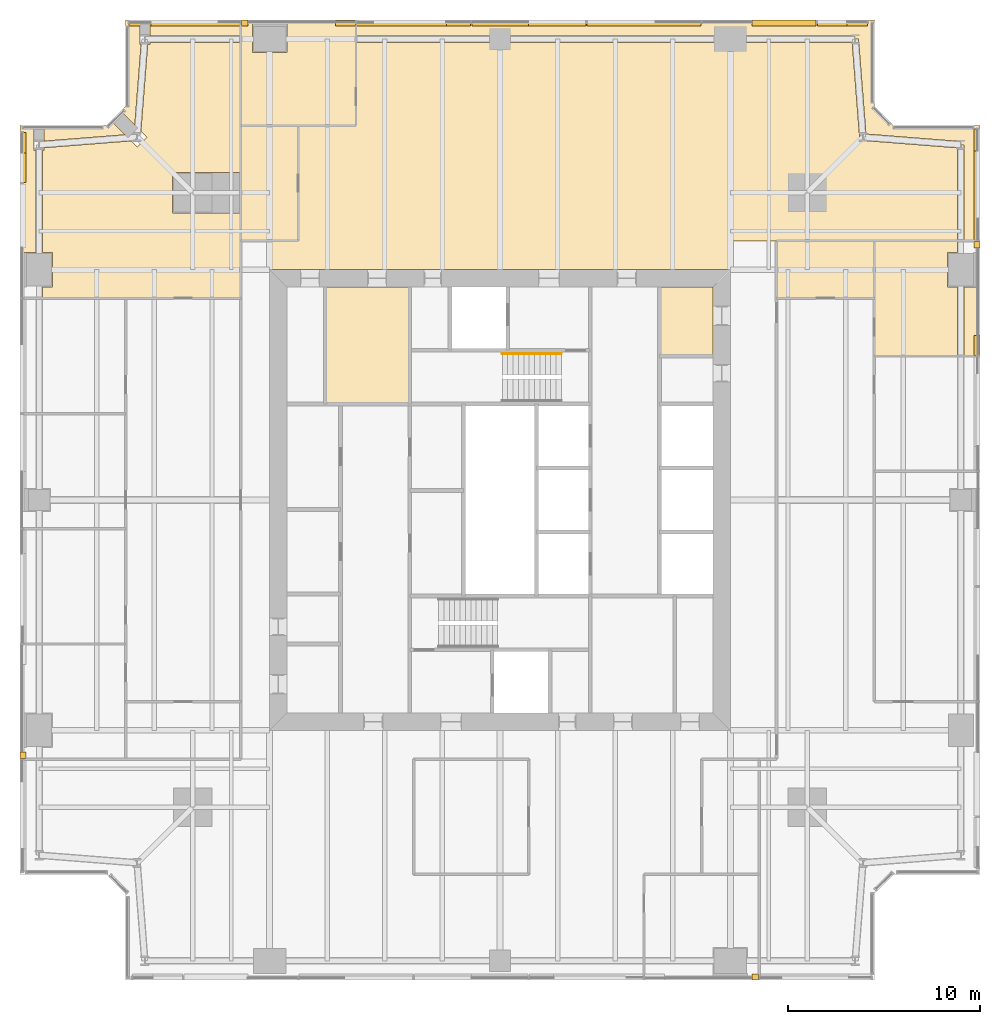
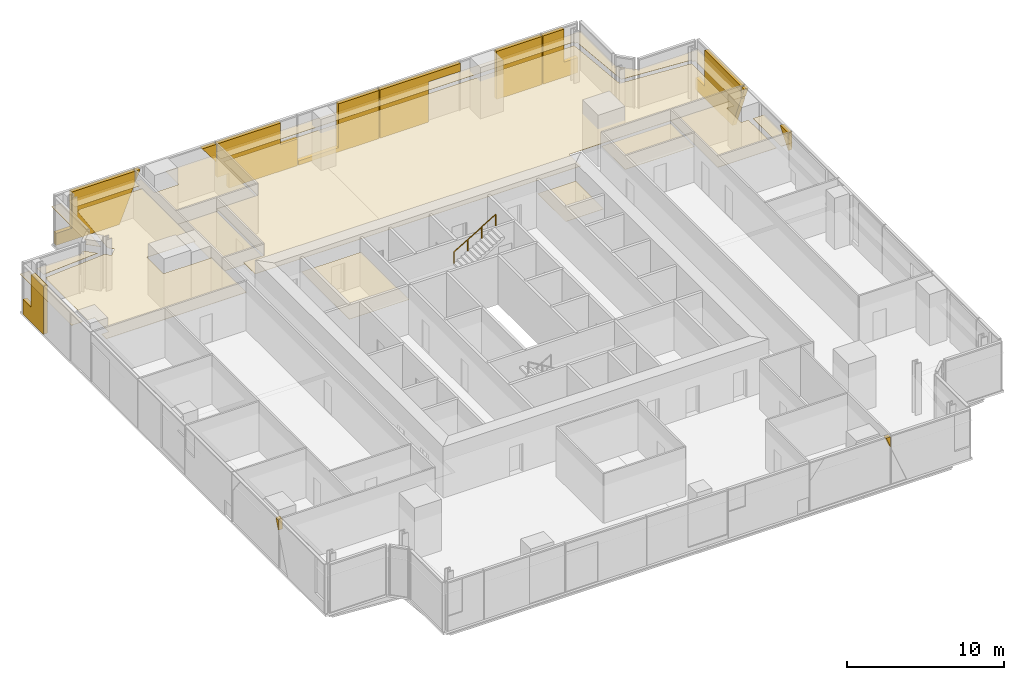
# One storey, part 14 of 14: 28 coverings, 1 railing.
"""IFC4 building model written with IfcOpenShell, lengths in metres."""

import ifcopenshell
import ifcopenshell.guid

model = None  # the IFC model being written
_history = None  # IfcOwnerHistory: only IFC2X3 demands one
_inside = {}  # id of a spatial element -> (the spatial element, [elements in it])
_under = {}  # id of a project, library or spatial element -> (it, [spatial elements below it])
_declared = {}  # id of a project -> (the project, [libraries it declares])
_typed = {}  # id of a type object -> (the type object, [elements of that type])
_made_of = {}  # id of a material, layer set ... -> (it, [elements and type objects made of it])


def new_model(schema):
    """Start an empty IFC model of exactly this schema.

    Asked for "IFC4X3", IfcOpenShell would pick the latest addendum, in which some entities
    have other attributes; the version numbers below select the first issue.
    IFC2X3 requires an IfcOwnerHistory on every rooted entity: one is made here for all.
    """
    global model, _history
    if schema == "IFC4X3":
        model = ifcopenshell.file(schema_version=(4, 3, 0, 0))
    else:
        model = ifcopenshell.file(schema=schema)
    _inside.clear()
    _under.clear()
    _declared.clear()
    _typed.clear()
    _made_of.clear()
    _history = None
    if model.schema == "IFC2X3":
        org = make("IfcOrganization", Name="unknown")
        user = make(
            "IfcPersonAndOrganization",
            ThePerson=make("IfcPerson", FamilyName="unknown"),
            TheOrganization=org,
        )
        app = make(
            "IfcApplication",
            ApplicationDeveloper=org,
            Version="unknown",
            ApplicationFullName="unknown",
            ApplicationIdentifier="unknown",
        )
        _history = make(
            "IfcOwnerHistory",
            OwningUser=user,
            OwningApplication=app,
            ChangeAction="ADDED",
            CreationDate=0,
        )
    return model


def make(cls, **values):
    """One entity of the class cls with the attributes given. An attribute that is None is left unset."""
    return model.create_entity(
        cls, **{name: value for name, value in values.items() if value is not None}
    )


def rooted(cls, **values):
    """An entity with a GlobalId (a new one), such as an element, a storey or a relation."""
    return make(cls, GlobalId=ifcopenshell.guid.new(), OwnerHistory=_history, **values)


def si_unit(unit_type, name, prefix=None):
    """IfcSIUnit, for example si_unit("LENGTHUNIT", "METRE", prefix="MILLI")."""
    return make("IfcSIUnit", UnitType=unit_type, Prefix=prefix, Name=name)


def assignment(units):
    """IfcUnitAssignment: the units of a project."""
    return None if units is None else make("IfcUnitAssignment", Units=units)


def point(xyz):
    """IfcCartesianPoint."""
    return None if xyz is None else make("IfcCartesianPoint", Coordinates=xyz)


def direction(xyz):
    """IfcDirection."""
    return None if xyz is None else make("IfcDirection", DirectionRatios=xyz)


def frame(location, z_axis=None, x_axis=None):
    """IfcAxis2Placement3D, a coordinate frame: its origin and axes. An axis left out is left unset."""
    return make(
        "IfcAxis2Placement3D",
        Location=point(location),
        Axis=direction(z_axis),
        RefDirection=direction(x_axis),
    )


def frame_2d(location, x_axis=None):
    """IfcAxis2Placement2D, a coordinate frame in the plane: its origin and x axis."""
    return make(
        "IfcAxis2Placement2D", Location=point(location), RefDirection=direction(x_axis)
    )


def origin():
    """The frame at (0, 0, 0) with its axes left unset."""
    return frame((0.0, 0.0, 0.0))


def origin_2d():
    """The frame at (0, 0) in the plane with its x axis left unset."""
    return frame_2d((0.0, 0.0))


def place(relative_to, where):
    """IfcLocalPlacement: puts the frame where relative to a parent placement (None: the world)."""
    return make(
        "IfcLocalPlacement", PlacementRelTo=relative_to, RelativePlacement=where
    )


def context(
    kind, dimensions, precision=None, world=None, true_north=None, identifier=None
):
    """IfcGeometricRepresentationContext, for example the 3D "Model" context."""
    return make(
        "IfcGeometricRepresentationContext",
        ContextIdentifier=identifier,
        ContextType=kind,
        CoordinateSpaceDimension=dimensions,
        Precision=precision,
        WorldCoordinateSystem=world,
        TrueNorth=true_north,
    )


def subcontext(parent, identifier, kind, view, scale=None):
    """IfcGeometricRepresentationSubContext, for example "Body" below "Model"."""
    return make(
        "IfcGeometricRepresentationSubContext",
        ContextIdentifier=identifier,
        ContextType=kind,
        ParentContext=parent,
        TargetScale=scale,
        TargetView=view,
    )


def project(units=None, contexts=None):
    """IfcProject with its units and contexts."""
    return rooted(
        "IfcProject",
        Name="project",
        RepresentationContexts=contexts,
        UnitsInContext=assignment(units),
    )


def spatial(cls, under=None, at=None, **own):
    """A site, building, storey or space (cls), placed at a placement, below another one or the project."""
    s = rooted(cls, ObjectPlacement=at, **own)
    if under is not None:
        _under.setdefault(under.id(), (under, []))[1].append(s)
    return s


def polyline(points):
    """IfcPolyline through the points."""
    return make("IfcPolyline", Points=[point(p) for p in points])


def profile(cls, at=None, kind="AREA", **sizes):
    """A parametric profile (cls). Its sizes go by their IFC names, for example OverallWidth=200.0."""
    return make(cls, ProfileType=kind, Position=at, **sizes)


def circle(**sizes):
    """IfcCircleProfileDef."""
    return profile("IfcCircleProfileDef", **sizes)


def outline(outer, holes=None, kind="AREA"):
    """IfcArbitraryClosedProfileDef: a profile drawn as a closed curve; with holes, ...WithVoids."""
    if holes is None:
        return make("IfcArbitraryClosedProfileDef", ProfileType=kind, OuterCurve=outer)
    return make(
        "IfcArbitraryProfileDefWithVoids",
        ProfileType=kind,
        OuterCurve=outer,
        InnerCurves=holes,
    )


def extrude(swept, where, along, depth):
    """IfcExtrudedAreaSolid: the profile swept, set in the frame where, extruded along a direction by depth."""
    return make(
        "IfcExtrudedAreaSolid",
        SweptArea=swept,
        Position=where,
        ExtrudedDirection=direction(along),
        Depth=depth,
    )


def shape(context_of_items, identifier, shape_type, items):
    """IfcShapeRepresentation: the items that make up one representation, for example the "Body"."""
    return make(
        "IfcShapeRepresentation",
        ContextOfItems=context_of_items,
        RepresentationIdentifier=identifier,
        RepresentationType=shape_type,
        Items=items,
    )


def material(Name=None, Category=None):
    """IfcMaterial."""
    return make("IfcMaterial", Name=Name, Category=Category)


def layer(
    of_material, thickness, ventilated=None, Name=None, Category=None, Priority=None
):
    """IfcMaterialLayer: one layer of a wall or slab, of a material (None: an air gap)."""
    return make(
        "IfcMaterialLayer",
        Material=of_material,
        LayerThickness=thickness,
        IsVentilated=ventilated,
        Name=Name,
        Category=Category,
        Priority=Priority,
    )


def layer_set(layers, Name=None):
    """IfcMaterialLayerSet."""
    return make("IfcMaterialLayerSet", MaterialLayers=layers, LayerSetName=Name)


def made_of(thing, what):
    """Note that an element or type object is made of a material, layer set ...; save() writes the relation."""
    if what is not None:
        _made_of.setdefault(what.id(), (what, []))[1].append(thing)
    return thing


def type_object(cls, material=None, **own):
    """A type object (cls), such as IfcWallType, which elements share."""
    return made_of(rooted(cls, **own), material)


def element(
    cls,
    number,
    at=None,
    inside=None,
    cuts=None,
    type_object=None,
    material=None,
    context=None,
    identifier="Body",
    shape_type=None,
    held_by="IfcProductDefinitionShape",
    body=None,
    shapes=None,
    **own,
):
    """One element of the class cls, such as IfcWall. Its Tag is "e" and its number.

    at: its placement. inside: the storey or other place that contains it. cuts: it is an
    opening in that element (IfcRelVoidsElement). A single representation is given by context,
    identifier, shape_type and body (its items); several are given by shapes. held_by: the class
    of the entity that holds the representations. save() writes the other relations.
    """
    e = rooted(cls, Tag="e%d" % number, ObjectPlacement=at, **own)
    if body is not None:
        shapes = [shape(context, identifier, shape_type, body)]
    if shapes is not None:
        e.Representation = make(held_by, Representations=shapes)
    if inside is not None:
        _inside.setdefault(inside.id(), (inside, []))[1].append(e)
    if cuts is not None:
        rooted(
            "IfcRelVoidsElement", RelatingBuildingElement=cuts, RelatedOpeningElement=e
        )
    if type_object is not None:
        _typed.setdefault(type_object.id(), (type_object, []))[1].append(e)
    return made_of(e, material)


def aggregate(whole, parts):
    """IfcRelAggregates: a whole, such as a stair, and the parts it consists of."""
    return rooted("IfcRelAggregates", RelatingObject=whole, RelatedObjects=parts)


def save(model, path):
    """Write the relations noted so far, then the file.

    IfcRelAggregates (storeys below a building ...), IfcRelContainedInSpatialStructure (elements
    in a storey), IfcRelDefinesByType, IfcRelAssociatesMaterial and IfcRelDeclares: one each for
    every whole, place, type object, material and project.
    """
    for whole, parts in _under.values():
        aggregate(whole, parts)
    for where, things in _inside.values():
        rooted(
            "IfcRelContainedInSpatialStructure",
            RelatedElements=things,
            RelatingStructure=where,
        )
    for kind, things in _typed.values():
        rooted("IfcRelDefinesByType", RelatedObjects=things, RelatingType=kind)
    for what, things in _made_of.values():
        rooted("IfcRelAssociatesMaterial", RelatedObjects=things, RelatingMaterial=what)
    for by, libraries in _declared.values():
        rooted("IfcRelDeclares", RelatingContext=by, RelatedDefinitions=libraries)
    model.write(path)


model = new_model("IFC4")

# Units and contexts
model_context = context("Model", 3, precision=1e-05, world=origin(), true_north=direction((0.0, 1.0)))
body_context = subcontext(model_context, "Body", "Model", "MODEL_VIEW")
ifc_project = project(units=[si_unit("LENGTHUNIT", "METRE"), si_unit("AREAUNIT", "SQUARE_METRE"), si_unit("VOLUMEUNIT", "CUBIC_METRE"), si_unit("PLANEANGLEUNIT", "RADIAN"), si_unit("MASSUNIT", "GRAM", prefix="KILO")], contexts=[model_context])

# Site, building, storey
site_placement = place(None, origin())
site = spatial("IfcSite", under=ifc_project, at=site_placement, CompositionType="ELEMENT")
building_placement = place(site_placement, origin())
building = spatial("IfcBuilding", under=site, at=building_placement, Name="Fenwick Lantern Interchange", CompositionType="ELEMENT")
storey_placement = place(building_placement, frame((0.0, 0.0, 221.800048828125)))
storey = spatial("IfcBuildingStorey", under=building, at=storey_placement, Name="L52", CompositionType="ELEMENT", Elevation=221.800048828125)

# Coverings
ifc_material_1 = material(Name="Mineral fibre acoustic tile on suspended grid")
ifc_layer_1 = layer(ifc_material_1, 0.02001953125)
ifc_layer_set_1 = layer_set([ifc_layer_1], Name="ACOUSTIC TILE CEILING 20")
covering_type_1 = type_object("IfcCoveringType", Name="ACOUSTIC TILE CEILING 20", PredefinedType="CEILING", material=ifc_layer_set_1)
covering_1_placement = place(storey_placement, frame((0.0, 0.0, 2.89990234375)))
element("IfcCovering", 1, at=covering_1_placement, inside=storey, type_object=covering_type_1, Name="Office ceiling", PredefinedType="CEILING", context=body_context, shape_type="SweptSolid", body=[
    extrude(outline(polyline([(44.5, 32.5), (48.82763671875, 32.5), (48.82763671875, 36.10009765625), (48.300048828125, 36.10009765625), (48.300048828125, 37.89990234375), (48.82763671875, 37.89990234375), (48.82763671875, 38.5), (44.5, 38.5), (44.5, 32.5)])), origin(), (0.0, 0.0, 1.0), 0.02001953125),
])
covering_2_placement = place(storey_placement, frame((0.0, 0.0, 2.89990234375)))
element("IfcCovering", 2, at=covering_2_placement, inside=storey, type_object=covering_type_1, Name="Office ceiling", PredefinedType="CEILING", context=body_context, shape_type="SweptSolid", body=[
    extrude(outline(polyline([(49.17236328125, 32.5), (50.0, 32.5), (50.0, 36.10009765625), (49.17236328125, 36.10009765625), (49.17236328125, 32.5)])), origin(), (0.0, 0.0, 1.0), 0.02001953125),
])
covering_3_placement = place(storey_placement, frame((0.0, 0.0, 2.89990234375)))
element("IfcCovering", 3, at=covering_3_placement, inside=storey, type_object=covering_type_1, Name="Open office ceiling", PredefinedType="CEILING", context=body_context, shape_type="SweptSolid", body=[
    extrude(outline(polyline([(37.0, 38.5), (48.82763671875, 38.5), (48.82763671875, 43.340576171875), (43.886474609375, 43.72802734375), (43.89990234375, 43.89990234375), (43.72802734375, 43.886474609375), (43.340576171875, 48.82763671875), (37.0, 48.82763671875), (25.0, 48.82763671875), (17.5, 48.82763671875), (17.5, 44.5), (14.5, 44.5), (14.5, 38.5), (13.0, 38.5), (13.0, 37.0), (37.0, 37.0), (37.0, 38.5)])), origin(), (0.0, 0.0, 1.0), 0.02001953125),
])
covering_4_placement = place(storey_placement, frame((0.0, 0.0, 2.89990234375)))
element("IfcCovering", 4, at=covering_4_placement, inside=storey, type_object=covering_type_1, Name="Open office ceiling", PredefinedType="CEILING", context=body_context, shape_type="SweptSolid", body=[
    extrude(outline(polyline([(44.5, 45.5), (44.5, 50.0), (17.5, 50.0), (17.5, 49.17236328125), (25.0, 49.17236328125), (37.0, 49.17236328125), (43.5, 49.17236328125), (43.5, 49.0), (43.671875, 49.013427734375), (44.060302734375, 44.060302734375), (49.013427734375, 43.671875), (49.0, 43.5), (49.17236328125, 43.5), (49.17236328125, 38.5), (50.0, 38.5), (50.0, 44.5), (45.5, 44.5), (44.5, 45.5)])), origin(), (0.0, 0.0, 1.0), 0.02001953125),
])
covering_5_placement = place(storey_placement, frame((0.0, 0.0, 2.699951171875)))
element("IfcCovering", 5, at=covering_5_placement, inside=storey, type_object=covering_type_1, Name="Quiet room ceiling", PredefinedType="CEILING", context=body_context, shape_type="SweptSolid", body=[
    extrude(outline(polyline([(17.5, 50.0), (13.89990234375, 50.0), (13.89990234375, 48.300048828125), (12.10009765625, 48.300048828125), (12.10009765625, 50.0), (11.5, 50.0), (11.5, 44.5), (17.5, 44.5), (17.5, 50.0)])), origin(), (0.0, 0.0, 1.0), 0.02001953125),
])
covering_6_placement = place(storey_placement, frame((0.0, 0.0, 2.89990234375)))
element("IfcCovering", 6, at=covering_6_placement, inside=storey, type_object=covering_type_1, Name="Office ceiling", PredefinedType="CEILING", context=body_context, shape_type="SweptSolid", body=[
    extrude(outline(polyline([(6.76220703125, 48.71240234375), (6.650390625, 48.71240234375), (6.298095703125, 44.22216796875), (6.620361328125, 43.89990234375), (6.10009765625, 43.379638671875), (5.77783203125, 43.701904296875), (1.26220703125, 43.34765625), (1.26220703125, 43.21240234375), (1.17236328125, 43.21240234375), (1.17236328125, 37.89990234375), (1.699951171875, 37.89990234375), (1.699951171875, 36.10009765625), (1.17236328125, 36.10009765625), (1.17236328125, 35.5), (11.5, 35.5), (11.5, 39.949951171875), (7.949951171875, 39.949951171875), (7.949951171875, 42.050048828125), (11.5, 42.050048828125), (11.5, 48.82763671875), (6.76220703125, 48.82763671875), (6.76220703125, 48.71240234375)])), origin(), (0.0, 0.0, 1.0), 0.02001953125),
])
covering_7_placement = place(storey_placement, frame((0.0, 0.0, 2.89990234375)))
element("IfcCovering", 7, at=covering_7_placement, inside=storey, type_object=covering_type_1, Name="Office ceiling", PredefinedType="CEILING", context=body_context, shape_type="SweptSolid", body=[
    extrude(outline(polyline([(0.0, 37.89990234375), (0.82763671875, 37.89990234375), (0.82763671875, 43.21240234375), (0.73779296875, 43.21240234375), (0.73779296875, 44.5), (0.0, 44.5), (0.0, 37.89990234375)])), origin(), (0.0, 0.0, 1.0), 0.02001953125),
])
covering_8_placement = place(storey_placement, frame((0.0, 0.0, 2.89990234375)))
element("IfcCovering", 8, at=covering_8_placement, inside=storey, type_object=covering_type_1, Name="Office ceiling", PredefinedType="CEILING", context=body_context, shape_type="SweptSolid", body=[
    extrude(outline(polyline([(6.76220703125, 50.0), (6.76220703125, 49.17236328125), (11.5, 49.17236328125), (11.5, 50.0), (6.76220703125, 50.0)])), origin(), (0.0, 0.0, 1.0), 0.02001953125),
])
covering_9_placement = place(storey_placement, frame((0.0, 0.0, 2.89990234375)))
element("IfcCovering", 9, at=covering_9_placement, inside=storey, type_object=covering_type_1, Name="Office ceiling", PredefinedType="CEILING", context=body_context, shape_type="SweptSolid", body=[
    extrude(outline(polyline([(6.304443359375, 48.71240234375), (6.23779296875, 48.71240234375), (6.23779296875, 50.0), (5.5, 50.0), (5.5, 45.5), (5.26025390625, 45.26025390625), (5.9775390625, 44.542724609375), (6.304443359375, 48.71240234375)])), origin(), (0.0, 0.0, 1.0), 0.02001953125),
])
covering_10_placement = place(storey_placement, frame((0.0, 0.0, 2.89990234375)))
element("IfcCovering", 10, at=covering_10_placement, inside=storey, type_object=covering_type_1, Name="Office ceiling", PredefinedType="CEILING", context=body_context, shape_type="SweptSolid", body=[
    extrude(outline(polyline([(1.26220703125, 44.5), (1.26220703125, 43.693603515625), (5.457275390625, 44.0224609375), (4.73974609375, 44.73974609375), (4.5, 44.5), (1.26220703125, 44.5)])), origin(), (0.0, 0.0, 1.0), 0.02001953125),
])
ifc_material_2 = material(Name="Granite cladding, warm grey flamed finish, on aluminium carrier frame", Category="masonry")
ifc_layer_2 = layer(ifc_material_2, 0.300048828125)
ifc_layer_set_2 = layer_set([ifc_layer_2], Name="BRACE CASING PANEL 300")
covering_type_2 = type_object("IfcCoveringType", Name="BRACE CASING PANEL 300", PredefinedType="CLADDING", material=ifc_layer_set_2)
covering_11_placement = place(storey_placement, frame((5.60009765625, 0.10009765625, 2.939697265625), z_axis=(0.0, 0.0, 1.0), x_axis=(1.0, 0.0, 0.0)))
element("IfcCovering", 11, at=covering_11_placement, inside=storey, type_object=covering_type_2, Name="Brace casing 01 bay 05b", PredefinedType="CLADDING", context=body_context, shape_type="SweptSolid", body=[
    extrude(outline(polyline([(32.867431640625, 0.0), (32.867431640625, 0.810302734375), (32.535888671875, 0.810302734375), (32.867431640625, 0.0)])), frame((0.0, 0.2001953125, 0.0), z_axis=(0.0, -1.0, 0.0), x_axis=(1.0, 0.0, 0.0)), (0.0, 0.0, 1.0), 0.300048828125),
])
covering_12_placement = place(storey_placement, frame((49.89990234375, 5.60009765625, 2.37890625), z_axis=(0.0, 0.0, 1.0), x_axis=(0.0, 1.0, 0.0)))
element("IfcCovering", 12, at=covering_12_placement, inside=storey, type_object=covering_type_2, Name="Brace casing 05 bay 05a", PredefinedType="CLADDING", context=body_context, shape_type="SweptSolid", body=[
    extrude(outline(polyline([(26.9326171875, 0.0), (27.96826171875, 1.37109375), (26.9326171875, 1.37109375), (26.9326171875, 0.0)])), frame((0.0, 0.2001953125, 0.0), z_axis=(0.0, -1.0, 0.0), x_axis=(1.0, 0.0, 0.0)), (0.0, 0.0, 1.0), 0.300048828125),
])
covering_13_placement = place(storey_placement, frame((49.89990234375, 5.60009765625, 2.939697265625), z_axis=(0.0, 0.0, 1.0), x_axis=(0.0, 1.0, 0.0)))
element("IfcCovering", 13, at=covering_13_placement, inside=storey, type_object=covering_type_2, Name="Brace casing 05 bay 05b", PredefinedType="CLADDING", context=body_context, shape_type="SweptSolid", body=[
    extrude(outline(polyline([(32.867431640625, 0.0), (32.867431640625, 0.810302734375), (32.535888671875, 0.810302734375), (32.867431640625, 0.0)])), frame((0.0, 0.2001953125, 0.0), z_axis=(0.0, -1.0, 0.0), x_axis=(1.0, 0.0, 0.0)), (0.0, 0.0, 1.0), 0.300048828125),
])
covering_14_placement = place(storey_placement, frame((49.89990234375, 5.60009765625, 0.0), z_axis=(0.0, 0.0, 1.0), x_axis=(0.0, 1.0, 0.0)))
element("IfcCovering", 14, at=covering_14_placement, inside=storey, type_object=covering_type_2, Name="Brace casing 05 bay 06a", PredefinedType="CLADDING", context=body_context, shape_type="SweptSolid", body=[
    extrude(outline(polyline([(34.0703125, 0.0), (38.735107421875, 0.0), (38.735107421875, 0.92724609375), (37.58056640625, 0.92724609375), (37.58056640625, 3.75), (32.9326171875, 3.75), (32.9326171875, 2.78076171875), (34.0703125, 0.0)])), frame((0.0, 0.2001953125, 0.0), z_axis=(0.0, -1.0, 0.0), x_axis=(1.0, 0.0, 0.0)), (0.0, 0.0, 1.0), 0.300048828125),
])
covering_15_placement = place(storey_placement, frame((44.39990234375, 49.89990234375, 0.0), z_axis=(0.0, 0.0, 1.0), x_axis=(-1.0, 0.0, 0.0)))
element("IfcCovering", 15, at=covering_15_placement, inside=storey, type_object=covering_type_2, Name="Brace casing 09 bay 00a", PredefinedType="CLADDING", context=body_context, shape_type="SweptSolid", body=[
    extrude(outline(polyline([(0.264892578125, 0.0), (2.867431640625, 0.0), (2.867431640625, 3.75), (1.320068359375, 3.75), (1.320068359375, 1.17333984375), (0.264892578125, 1.17333984375), (0.264892578125, 0.0)])), frame((0.0, 0.2001953125, 0.0), z_axis=(0.0, -1.0, 0.0), x_axis=(1.0, 0.0, 0.0)), (0.0, 0.0, 1.0), 0.300048828125),
])
covering_16_placement = place(storey_placement, frame((44.39990234375, 49.89990234375, 0.0), z_axis=(0.0, 0.0, 1.0), x_axis=(-1.0, 0.0, 0.0)))
element("IfcCovering", 16, at=covering_16_placement, inside=storey, type_object=covering_type_2, Name="Brace casing 09 bay 01a", PredefinedType="CLADDING", context=body_context, shape_type="SweptSolid", body=[
    extrude(outline(polyline([(2.9326171875, 0.0), (6.2646484375, 0.0), (6.2646484375, 3.75), (2.9326171875, 3.75), (2.9326171875, 0.0)])), frame((0.0, 0.2001953125, 0.0), z_axis=(0.0, -1.0, 0.0), x_axis=(1.0, 0.0, 0.0)), (0.0, 0.0, 1.0), 0.300048828125),
])
covering_17_placement = place(storey_placement, frame((44.39990234375, 49.89990234375, 0.0), z_axis=(0.0, 0.0, 1.0), x_axis=(-1.0, 0.0, 0.0)))
element("IfcCovering", 17, at=covering_17_placement, inside=storey, type_object=covering_type_2, Name="Brace casing 09 bay 02a", PredefinedType="CLADDING", context=body_context, shape_type="SweptSolid", body=[
    extrude(outline(polyline([(11.297607421875, 0.0), (14.867431640625, 0.0), (14.867431640625, 3.75), (8.9326171875, 3.75), (8.9326171875, 3.133544921875), (11.297607421875, 3.133544921875), (11.297607421875, 0.0)])), frame((0.0, 0.2001953125, 0.0), z_axis=(0.0, -1.0, 0.0), x_axis=(1.0, 0.0, 0.0)), (0.0, 0.0, 1.0), 0.300048828125),
])
covering_18_placement = place(storey_placement, frame((44.39990234375, 49.89990234375, 0.0), z_axis=(0.0, 0.0, 1.0), x_axis=(-1.0, 0.0, 0.0)))
element("IfcCovering", 18, at=covering_18_placement, inside=storey, type_object=covering_type_2, Name="Brace casing 09 bay 03a", PredefinedType="CLADDING", context=body_context, shape_type="SweptSolid", body=[
    extrude(outline(polyline([(14.9326171875, 0.0), (20.867431640625, 0.0), (20.867431640625, 0.328125), (17.928466796875, 0.328125), (17.928466796875, 3.75), (14.9326171875, 3.75), (14.9326171875, 0.0)])), frame((0.0, 0.2001953125, 0.0), z_axis=(0.0, -1.0, 0.0), x_axis=(1.0, 0.0, 0.0)), (0.0, 0.0, 1.0), 0.300048828125),
])
covering_19_placement = place(storey_placement, frame((44.39990234375, 49.89990234375, 0.0), z_axis=(0.0, 0.0, 1.0), x_axis=(-1.0, 0.0, 0.0)))
element("IfcCovering", 19, at=covering_19_placement, inside=storey, type_object=covering_type_2, Name="Brace casing 09 bay 04a", PredefinedType="CLADDING", context=body_context, shape_type="SweptSolid", body=[
    extrude(outline(polyline([(20.9326171875, 0.0), (26.00048828125, 0.0), (26.00048828125, 1.14501953125), (26.867431640625, 1.14501953125), (26.867431640625, 3.75), (22.192626953125, 3.75), (22.192626953125, 2.07666015625), (20.9326171875, 2.07666015625), (20.9326171875, 0.0)])), frame((0.0, 0.2001953125, 0.0), z_axis=(0.0, -1.0, 0.0), x_axis=(1.0, 0.0, 0.0)), (0.0, 0.0, 1.0), 0.300048828125),
])
covering_20_placement = place(storey_placement, frame((44.39990234375, 49.89990234375, 2.37890625), z_axis=(0.0, 0.0, 1.0), x_axis=(-1.0, 0.0, 0.0)))
element("IfcCovering", 20, at=covering_20_placement, inside=storey, type_object=covering_type_2, Name="Brace casing 09 bay 05a", PredefinedType="CLADDING", context=body_context, shape_type="SweptSolid", body=[
    extrude(outline(polyline([(26.9326171875, 0.0), (27.96826171875, 1.37109375), (26.9326171875, 1.37109375), (26.9326171875, 0.0)])), frame((0.0, 0.2001953125, 0.0), z_axis=(0.0, -1.0, 0.0), x_axis=(1.0, 0.0, 0.0)), (0.0, 0.0, 1.0), 0.300048828125),
])
covering_21_placement = place(storey_placement, frame((44.39990234375, 49.89990234375, 2.939697265625), z_axis=(0.0, 0.0, 1.0), x_axis=(-1.0, 0.0, 0.0)))
element("IfcCovering", 21, at=covering_21_placement, inside=storey, type_object=covering_type_2, Name="Brace casing 09 bay 05b", PredefinedType="CLADDING", context=body_context, shape_type="SweptSolid", body=[
    extrude(outline(polyline([(32.867431640625, 0.0), (32.867431640625, 0.810302734375), (32.535888671875, 0.810302734375), (32.867431640625, 0.0)])), frame((0.0, 0.2001953125, 0.0), z_axis=(0.0, -1.0, 0.0), x_axis=(1.0, 0.0, 0.0)), (0.0, 0.0, 1.0), 0.300048828125),
])
covering_22_placement = place(storey_placement, frame((44.39990234375, 49.89990234375, 0.0), z_axis=(0.0, 0.0, 1.0), x_axis=(-1.0, 0.0, 0.0)))
element("IfcCovering", 22, at=covering_22_placement, inside=storey, type_object=covering_type_2, Name="Brace casing 09 bay 06a", PredefinedType="CLADDING", context=body_context, shape_type="SweptSolid", body=[
    extrude(outline(polyline([(34.0703125, 0.0), (38.735107421875, 0.0), (38.735107421875, 0.92724609375), (37.58056640625, 0.92724609375), (37.58056640625, 3.75), (32.9326171875, 3.75), (32.9326171875, 2.78076171875), (34.0703125, 0.0)])), frame((0.0, 0.2001953125, 0.0), z_axis=(0.0, -1.0, 0.0), x_axis=(1.0, 0.0, 0.0)), (0.0, 0.0, 1.0), 0.300048828125),
])
covering_23_placement = place(storey_placement, frame((0.10009765625, 44.39990234375, 0.0), z_axis=(0.0, 0.0, 1.0), x_axis=(0.0, -1.0, 0.0)))
element("IfcCovering", 23, at=covering_23_placement, inside=storey, type_object=covering_type_2, Name="Brace casing 13 bay 00a", PredefinedType="CLADDING", context=body_context, shape_type="SweptSolid", body=[
    extrude(outline(polyline([(0.264892578125, 0.0), (2.867431640625, 0.0), (2.867431640625, 3.75), (1.320068359375, 3.75), (1.320068359375, 1.17333984375), (0.264892578125, 1.17333984375), (0.264892578125, 0.0)])), frame((0.0, 0.2001953125, 0.0), z_axis=(0.0, -1.0, 0.0), x_axis=(1.0, 0.0, 0.0)), (0.0, 0.0, 1.0), 0.300048828125),
])
covering_24_placement = place(storey_placement, frame((0.10009765625, 44.39990234375, 2.939697265625), z_axis=(0.0, 0.0, 1.0), x_axis=(0.0, -1.0, 0.0)))
element("IfcCovering", 24, at=covering_24_placement, inside=storey, type_object=covering_type_2, Name="Brace casing 13 bay 05b", PredefinedType="CLADDING", context=body_context, shape_type="SweptSolid", body=[
    extrude(outline(polyline([(32.867431640625, 0.0), (32.867431640625, 0.810302734375), (32.535888671875, 0.810302734375), (32.867431640625, 0.0)])), frame((0.0, 0.2001953125, 0.0), z_axis=(0.0, -1.0, 0.0), x_axis=(1.0, 0.0, 0.0)), (0.0, 0.0, 1.0), 0.300048828125),
])

# Railing
ifc_material_3 = material(Name="Stainless steel handrail", Category="steel")
railing_type = type_object("IfcRailingType", Name="HANDRAIL 900", PredefinedType="HANDRAIL", material=ifc_material_3)
railing_placement = place(storey_placement, frame((25.1201171875, 32.6259765625, 2.16650390625)))
element("IfcRailing", 25, at=railing_placement, inside=storey, type_object=railing_type, Name="L52/STAIR/ST2/HR2", PredefinedType="HANDRAIL", context=body_context, shape_type="SweptSolid", body=[
    extrude(circle(Radius=0.02392578125, at=origin_2d()), frame((0.0, 0.0, 0.8759765625), z_axis=(0.859260807169, 0.0, 0.511537745687), x_axis=(0.0, 1.0, 0.0)), (0.0, 0.0, 1.0), 3.584228515625),
    extrude(circle(Radius=0.02099609375, at=origin_2d()), origin(), (0.0, 0.0, 1.0), 0.851806640625),
    extrude(circle(Radius=0.02099609375, at=origin_2d()), frame((1.026611328125, 0.0, 0.611083984375)), (0.0, 0.0, 1.0), 0.851806640625),
    extrude(circle(Radius=0.02099609375, at=origin_2d()), frame((2.05322265625, 0.0, 1.222412109375)), (0.0, 0.0, 1.0), 0.851806640625),
    extrude(circle(Radius=0.02099609375, at=origin_2d()), frame((3.079833984375, 0.0, 1.83349609375)), (0.0, 0.0, 1.0), 0.851806640625),
])

# Coverings
ifc_material_4 = material(Name="Moisture resistant gypsum board on suspended frame, painted")
ifc_layer_3 = layer(ifc_material_4, 0.014892578125)
ifc_layer_set_3 = layer_set([ifc_layer_3], Name="MOISTURE RESISTANT CEILING 15")
covering_type_3 = type_object("IfcCoveringType", Name="MOISTURE RESISTANT CEILING 15", PredefinedType="CEILING", material=ifc_layer_set_3)
covering_25_placement = place(storey_placement, frame((0.0, 0.0, 2.599853515625)))
element("IfcCovering", 26, at=covering_25_placement, inside=storey, type_object=covering_type_3, Name="Women's WC ceiling", PredefinedType="CEILING", context=body_context, shape_type="SweptSolid", body=[
    extrude(outline(polyline([(20.300048828125, 36.10009765625), (15.89990234375, 36.10009765625), (15.89990234375, 30.0), (20.300048828125, 30.0), (20.300048828125, 36.10009765625)])), origin(), (0.0, 0.0, 1.0), 0.01513671875),
])
covering_26_placement = place(storey_placement, frame((0.0, 0.0, 2.599853515625)))
element("IfcCovering", 27, at=covering_26_placement, inside=storey, type_object=covering_type_3, Name="Accessible WC and shower ceiling", PredefinedType="CEILING", context=body_context, shape_type="SweptSolid", body=[
    extrude(outline(polyline([(36.10009765625, 36.10009765625), (33.300048828125, 36.10009765625), (33.300048828125, 32.5), (36.10009765625, 32.5), (36.10009765625, 36.10009765625)])), origin(), (0.0, 0.0, 1.0), 0.01513671875),
])
covering_27_placement = place(storey_placement, frame((0.0, 0.0, 2.699951171875)))
element("IfcCovering", 28, at=covering_27_placement, inside=storey, type_object=covering_type_3, Name="Pantry ceiling", PredefinedType="CEILING", context=body_context, shape_type="SweptSolid", body=[
    extrude(outline(polyline([(14.5, 44.5), (11.5, 44.5), (11.5, 38.5), (14.5, 38.5), (14.5, 44.5)])), origin(), (0.0, 0.0, 1.0), 0.014892578125),
])
ifc_material_5 = material(Name="Gypsum plasterboard on suspended frame, painted")
ifc_layer_4 = layer(ifc_material_5, 0.014892578125)
ifc_layer_set_4 = layer_set([ifc_layer_4], Name="PLASTERBOARD CEILING 15")
covering_type_4 = type_object("IfcCoveringType", Name="PLASTERBOARD CEILING 15", PredefinedType="CEILING", material=ifc_layer_set_4)
covering_28_placement = place(storey_placement, frame((0.0, 0.0, 2.699951171875)))
element("IfcCovering", 29, at=covering_28_placement, inside=storey, type_object=covering_type_4, Name="Wellness room ceiling", PredefinedType="CEILING", context=body_context, shape_type="SweptSolid", body=[
    extrude(outline(polyline([(44.5, 35.5), (44.5, 38.5), (39.39990234375, 38.5), (39.39990234375, 35.5), (44.5, 35.5)])), origin(), (0.0, 0.0, 1.0), 0.014892578125),
])

save(model, "model.ifc")
